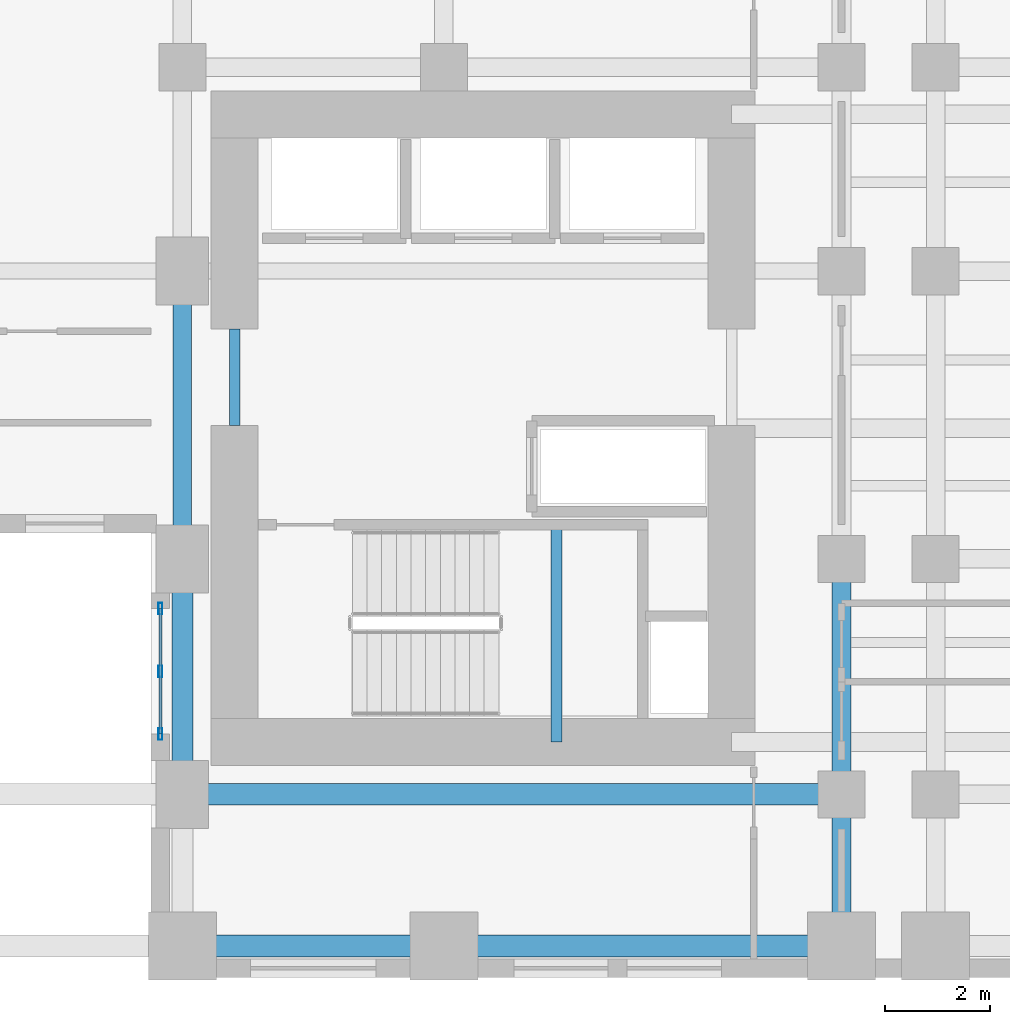
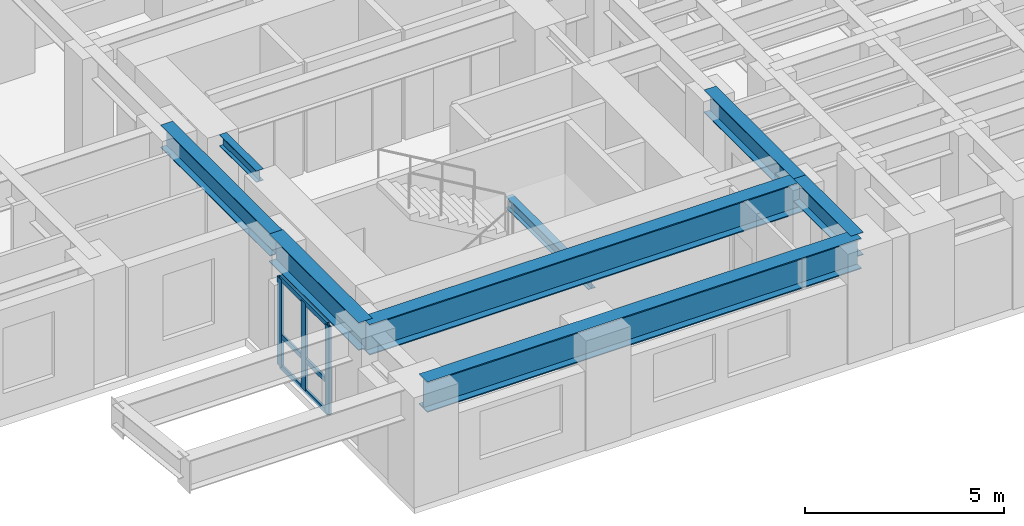
# One storey, part 3 of 14: 8 beams, 6 members, 1 element without a shape of its own.
"""IFC4 building model written with IfcOpenShell, lengths in metres."""

from ifc_helpers import new_model, si_unit, direction, frame, origin, origin_2d, place, context, subcontext, project, spatial, hollow_rectangle, i_section, extrude, source, transform, mapped, material, layer, layer_set, material_profile, profile_set, type_object, element, aggregate, save


model = new_model("IFC4")

# Units and contexts
model_context = context("Model", 3, precision=1e-05, world=origin(), true_north=direction((0.0, 1.0)))
body_context = subcontext(model_context, "Body", "Model", "MODEL_VIEW")
ifc_project = project(units=[si_unit("LENGTHUNIT", "METRE"), si_unit("AREAUNIT", "SQUARE_METRE"), si_unit("VOLUMEUNIT", "CUBIC_METRE"), si_unit("PLANEANGLEUNIT", "RADIAN"), si_unit("MASSUNIT", "GRAM", prefix="KILO")], contexts=[model_context])

# Site, building, storey
site_placement = place(None, origin())
site = spatial("IfcSite", under=ifc_project, at=site_placement, CompositionType="ELEMENT")
building_placement = place(site_placement, origin())
building = spatial("IfcBuilding", under=site, at=building_placement, Name="Kharzan Plaza Tower", CompositionType="ELEMENT")
storey_placement = place(building_placement, frame((0.0, 0.0, 44.10009765625)))
storey = spatial("IfcBuildingStorey", under=building, at=storey_placement, Name="L11", CompositionType="ELEMENT", Elevation=44.10009765625)

# Beams
ifc_material_1 = material(Name="Steel S355", Category="steel")
ifc_material_profile_1 = material_profile(ifc_material_1, i_section(OverallWidth=0.205078125, OverallDepth=0.35400390625, WebThickness=0.009521484375, FlangeThickness=0.016845703125, at=origin_2d()), Name="W360x79")
ifc_profile_set_1 = profile_set([ifc_material_profile_1], Name="Steel S355")
beam_type_1 = type_object("IfcBeamType", Name="BM-LNT360", PredefinedType="LINTEL", material=ifc_profile_set_1)
shared_shape_1 = source(origin(), body_context, "Body", "SweptSolid", [
    extrude(i_section(OverallWidth=0.205078125, OverallDepth=0.35400390625, WebThickness=0.009521484375, FlangeThickness=0.016845703125, at=origin_2d()), origin(), (0.0, 0.0, 1.0), 1.849853515625),
])
beam_1_placement = place(storey_placement, frame((36.0, 10.550048828125, 3.202880859375), z_axis=(0.0, 1.0, 0.0), x_axis=(-1.0, 0.0, 0.0)))
element("IfcBeam", 1, at=beam_1_placement, inside=storey, type_object=beam_type_1, Name="L11 CORE-B coupling lintel LN1-WW", PredefinedType="LINTEL", context=body_context, shape_type="MappedRepresentation", body=[
    mapped(shared_shape_1, transform((0.0, 0.0, 0.0), x_axis=(1.0, 0.0, 0.0), y_axis=(0.0, 1.0, 0.0), z_axis=(0.0, 0.0, 1.0))),
])
shared_shape_2 = source(origin(), body_context, "Body", "SweptSolid", [
    extrude(i_section(OverallWidth=0.205078125, OverallDepth=0.35400390625, WebThickness=0.009521484375, FlangeThickness=0.016845703125, at=origin_2d()), origin(), (0.0, 0.0, 1.0), 4.155029296875),
])
beam_2_placement = place(storey_placement, frame((42.14990234375, 4.5, 1.4228515625), z_axis=(0.0, 1.0, 0.0), x_axis=(-1.0, 0.0, 0.0)))
element("IfcBeam", 2, at=beam_2_placement, inside=storey, type_object=beam_type_1, Name="L11 Stair ST-3 Half-Landing Beam", PredefinedType="LINTEL", context=body_context, shape_type="MappedRepresentation", body=[
    mapped(shared_shape_2, transform((0.0, 0.0, 0.0), x_axis=(1.0, 0.0, 0.0), y_axis=(0.0, 1.0, 0.0), z_axis=(0.0, 0.0, 1.0))),
])
ifc_material_profile_2 = material_profile(ifc_material_1, i_section(OverallWidth=0.35498046875, OverallDepth=0.695068359375, WebThickness=0.015380859375, FlangeThickness=0.02490234375, at=origin_2d()), Name="W690x217")
ifc_profile_set_2 = profile_set([ifc_material_profile_2], Name="Steel S355")
beam_type_2 = type_object("IfcBeamType", Name="BM-FG690A", PredefinedType="BEAM", material=ifc_profile_set_2)
shared_shape_3 = source(origin(), body_context, "Body", "SweptSolid", [
    extrude(i_section(OverallWidth=0.35498046875, OverallDepth=0.695068359375, WebThickness=0.015380859375, FlangeThickness=0.02490234375, at=origin_2d()), origin(), (0.0, 0.0, 1.0), 4.5),
])
beam_3_placement = place(storey_placement, frame((47.60009765625, 3.5, 3.032470703125), z_axis=(0.0, 1.0, 0.0), x_axis=(-1.0, 0.0, 0.0)))
element("IfcBeam", 3, at=beam_3_placement, inside=storey, type_object=beam_type_2, Name="L11 Interior Frame Girder", PredefinedType="BEAM", context=body_context, shape_type="MappedRepresentation", body=[
    mapped(shared_shape_3, transform((0.0, 0.0, 0.0), x_axis=(1.0, 0.0, 0.0), y_axis=(0.0, 1.0, 0.0), z_axis=(0.0, 0.0, 1.0))),
])
shared_shape_4 = source(origin(), body_context, "Body", "SweptSolid", [
    extrude(i_section(OverallWidth=0.35498046875, OverallDepth=0.695068359375, WebThickness=0.015380859375, FlangeThickness=0.02490234375, at=origin_2d()), origin(), (0.0, 0.0, 1.0), 5.5),
])
beam_4_placement = place(storey_placement, frame((35.0, 8.0, 3.032470703125), z_axis=(0.0, 1.0, 0.0), x_axis=(-1.0, 0.0, 0.0)))
element("IfcBeam", 4, at=beam_4_placement, inside=storey, type_object=beam_type_2, Name="L11 Interior Frame Girder", PredefinedType="BEAM", context=body_context, shape_type="MappedRepresentation", body=[
    mapped(shared_shape_4, transform((0.0, 0.0, 0.0), x_axis=(1.0, 0.0, 0.0), y_axis=(0.0, 1.0, 0.0), z_axis=(0.0, 0.0, 1.0))),
])
shared_shape_5 = source(origin(), body_context, "Body", "SweptSolid", [
    extrude(i_section(OverallWidth=0.35498046875, OverallDepth=0.695068359375, WebThickness=0.015380859375, FlangeThickness=0.02490234375, at=origin_2d()), origin(), (0.0, 0.0, 1.0), 2.89990234375),
])
beam_5_placement = place(storey_placement, frame((47.60009765625, 0.60009765625, 3.032470703125), z_axis=(0.0, 1.0, 0.0), x_axis=(-1.0, 0.0, 0.0)))
element("IfcBeam", 5, at=beam_5_placement, inside=storey, type_object=beam_type_2, Name="L11 Interior Frame Girder", PredefinedType="BEAM", context=body_context, shape_type="MappedRepresentation", body=[
    mapped(shared_shape_5, transform((0.0, 0.0, 0.0), x_axis=(1.0, 0.0, 0.0), y_axis=(0.0, 1.0, 0.0), z_axis=(0.0, 0.0, 1.0))),
])
ifc_material_profile_3 = material_profile(ifc_material_1, i_section(OverallWidth=0.40087890625, OverallDepth=0.85498046875, WebThickness=0.018310546875, FlangeThickness=0.029296875, at=origin_2d()), Name="W840x299")
ifc_profile_set_3 = profile_set([ifc_material_profile_3], Name="Steel S355")
beam_type_3 = type_object("IfcBeamType", Name="BM-SP840A", PredefinedType="SPANDREL", material=ifc_profile_set_3)
shared_shape_6 = source(origin(), body_context, "Body", "SweptSolid", [
    extrude(i_section(OverallWidth=0.40087890625, OverallDepth=0.85498046875, WebThickness=0.018310546875, FlangeThickness=0.029296875, at=origin_2d()), origin(), (0.0, 0.0, 1.0), 4.5),
])
beam_6_placement = place(storey_placement, frame((35.0, 3.5, 2.952392578125), z_axis=(0.0, 1.0, 0.0), x_axis=(-1.0, 0.0, 0.0)))
element("IfcBeam", 6, at=beam_6_placement, inside=storey, type_object=beam_type_3, Name="L11 Perimeter Tube Spandrel", PredefinedType="SPANDREL", context=body_context, shape_type="MappedRepresentation", body=[
    mapped(shared_shape_6, transform((0.0, 0.0, 0.0), x_axis=(1.0, 0.0, 0.0), y_axis=(0.0, 1.0, 0.0), z_axis=(0.0, 0.0, 1.0))),
])

# Curtain wall, members
ifc_material_2 = material(Name="Unitised Bronze-Anodized Aluminium and Low-E Glass", Category="aluminium")
ifc_layer = layer(ifc_material_2, 0.199951171875)
ifc_layer_set = layer_set([ifc_layer], Name="Unitised Bronze-Anodized Aluminium and Low-E Glass")
curtain_wall_type = type_object("IfcCurtainWallType", Name="CW-SLOT-3", PredefinedType="NOTDEFINED", material=ifc_layer_set)
curtain_wall_placement = place(storey_placement, origin())
curtain_wall = element("IfcCurtainWall", 7, at=curtain_wall_placement, inside=storey, type_object=curtain_wall_type, Name="L11 East Slot Recessed Spine Curtain Wall", PredefinedType="NOTDEFINED")
ifc_material_3 = material(Name="Anodized Bronze Aluminium", Category="aluminium")
ifc_material_profile_4 = material_profile(ifc_material_3, hollow_rectangle(XDim=0.074951171875, YDim=0.219970703125, WallThickness=0.00390625, at=origin_2d()), Name="ALU-M220x75x4")
ifc_profile_set_4 = profile_set([ifc_material_profile_4], Name="Anodized Bronze Aluminium")
member_type_1 = type_object("IfcMemberType", Name="MEM-CW-MUL200", PredefinedType="MULLION", material=ifc_profile_set_4)
shared_shape_7 = source(origin(), body_context, "Body", "SweptSolid", [
    extrude(hollow_rectangle(XDim=0.074951171875, YDim=0.219970703125, WallThickness=0.00390625, at=origin_2d()), origin(), (0.0, 0.0, 1.0), 2.699951171875),
])
member_1_placement = place(storey_placement, frame((34.580078125, 4.64990234375, 0.0), z_axis=(0.0, 0.0, 1.0), x_axis=(1.0, 0.0, 0.0)))
member_1 = element("IfcMember", 8, at=member_1_placement, type_object=member_type_1, Name="L11 Curtain-Wall Mullion 00", PredefinedType="MULLION", context=body_context, shape_type="MappedRepresentation", body=[
    mapped(shared_shape_7, transform((0.0, 0.0, 0.0), x_axis=(1.0, 0.0, 0.0), y_axis=(0.0, 1.0, 0.0), z_axis=(0.0, 0.0, 1.0))),
])
member_2_placement = place(storey_placement, frame((34.580078125, 5.85009765625, 0.0), z_axis=(0.0, 0.0, 1.0), x_axis=(1.0, 0.0, 0.0)))
member_2 = element("IfcMember", 9, at=member_2_placement, type_object=member_type_1, Name="L11 Curtain-Wall Mullion 01", PredefinedType="MULLION", context=body_context, shape_type="MappedRepresentation", body=[
    mapped(shared_shape_7, transform((0.0, 0.0, 0.0), x_axis=(1.0, 0.0, 0.0), y_axis=(0.0, 1.0, 0.0), z_axis=(0.0, 0.0, 1.0))),
])
member_3_placement = place(storey_placement, frame((34.580078125, 7.050048828125, 0.0), z_axis=(0.0, 0.0, 1.0), x_axis=(1.0, 0.0, 0.0)))
member_3 = element("IfcMember", 10, at=member_3_placement, type_object=member_type_1, Name="L11 Curtain-Wall Mullion 02", PredefinedType="MULLION", context=body_context, shape_type="MappedRepresentation", body=[
    mapped(shared_shape_7, transform((0.0, 0.0, 0.0), x_axis=(1.0, 0.0, 0.0), y_axis=(0.0, 1.0, 0.0), z_axis=(0.0, 0.0, 1.0))),
])

# Beams
ifc_material_profile_5 = material_profile(ifc_material_1, i_section(OverallWidth=0.41796875, OverallDepth=0.93701171875, WebThickness=0.019287109375, FlangeThickness=0.031982421875, at=origin_2d()), Name="W920x342")
ifc_profile_set_5 = profile_set([ifc_material_profile_5], Name="Steel S355")
beam_type_4 = type_object("IfcBeamType", Name="BM-ZTB920", PredefinedType="BEAM", material=ifc_profile_set_5)
shared_shape_8 = source(origin(), body_context, "Body", "SweptSolid", [
    extrude(i_section(OverallWidth=0.41796875, OverallDepth=0.93701171875, WebThickness=0.019287109375, FlangeThickness=0.031982421875, at=origin_2d()), origin(), (0.0, 0.0, 1.0), 12.60009765625),
])
for number, where, z_axis, x_axis, name in (
    (11, (47.60009765625, 0.60009765625, 2.911376953125), (-1.0, 0.0, 0.0), (0.0, -1.0, 0.0), "L11 Sky-Terrace Back-Span Girder ZTB1 (L12 G1)"),
    (12, (47.60009765625, 3.5, 2.911376953125), (-1.0, 0.0, 0.0), (0.0, -1.0, 0.0), "L11 Sky-Terrace Back-Span Girder ZTB1 (L12 G2)"),
):
    element("IfcBeam", number, at=place(storey_placement, frame(where, z_axis=z_axis, x_axis=x_axis)), inside=storey, type_object=beam_type_4, Name=name, PredefinedType="BEAM", context=body_context, shape_type="MappedRepresentation", body=[
        mapped(shared_shape_8, transform((0.0, 0.0, 0.0), x_axis=(1.0, 0.0, 0.0), y_axis=(0.0, 1.0, 0.0), z_axis=(0.0, 0.0, 1.0))),
    ])

# Member
ifc_material_profile_6 = material_profile(ifc_material_3, hollow_rectangle(XDim=0.06005859375, YDim=0.14990234375, WallThickness=0.00341796875, at=origin_2d()), Name="ALU-T150x60x3.5")
ifc_profile_set_6 = profile_set([ifc_material_profile_6], Name="Anodized Bronze Aluminium")
member_type_2 = type_object("IfcMemberType", Name="MEM-CW-TRN150", PredefinedType="USERDEFINED", material=ifc_profile_set_6)
shared_shape_9 = source(origin(), body_context, "Body", "SweptSolid", [
    extrude(hollow_rectangle(XDim=0.06005859375, YDim=0.14990234375, WallThickness=0.00341796875, at=origin_2d()), origin(), (0.0, 0.0, 1.0), 2.400146484375),
])
member_4_placement = place(storey_placement, frame((34.580078125, 4.64990234375, 0.0), z_axis=(0.0, 1.0, 0.0), x_axis=(-1.0, 0.0, 0.0)))
member_4 = element("IfcMember", 13, at=member_4_placement, type_object=member_type_2, Name="L11 Curtain-Wall Transom 1", ObjectType="TRANSOM", PredefinedType="USERDEFINED", context=body_context, shape_type="MappedRepresentation", body=[
    mapped(shared_shape_9, transform((0.0, 0.0, 0.0), x_axis=(1.0, 0.0, 0.0), y_axis=(0.0, 1.0, 0.0), z_axis=(0.0, 0.0, 1.0))),
])

member_5_placement = place(storey_placement, frame((34.580078125, 4.64990234375, 0.949951171875), z_axis=(0.0, 1.0, 0.0), x_axis=(-1.0, 0.0, 0.0)))
member_5 = element("IfcMember", 14, at=member_5_placement, type_object=member_type_2, Name="L11 Curtain-Wall Transom 2", ObjectType="TRANSOM", PredefinedType="USERDEFINED", context=body_context, shape_type="MappedRepresentation", body=[
    mapped(shared_shape_9, transform((0.0, 0.0, 0.0), x_axis=(1.0, 0.0, 0.0), y_axis=(0.0, 1.0, 0.0), z_axis=(0.0, 0.0, 1.0))),
])

member_6_placement = place(storey_placement, frame((34.580078125, 4.64990234375, 2.699951171875), z_axis=(0.0, 1.0, 0.0), x_axis=(-1.0, 0.0, 0.0)))
member_6 = element("IfcMember", 15, at=member_6_placement, type_object=member_type_2, Name="L11 Curtain-Wall Transom 3", ObjectType="TRANSOM", PredefinedType="USERDEFINED", context=body_context, shape_type="MappedRepresentation", body=[
    mapped(shared_shape_9, transform((0.0, 0.0, 0.0), x_axis=(1.0, 0.0, 0.0), y_axis=(0.0, 1.0, 0.0), z_axis=(0.0, 0.0, 1.0))),
])

aggregate(curtain_wall, [member_1, member_2, member_3, member_4, member_5, member_6])

save(model, "model.ifc")
